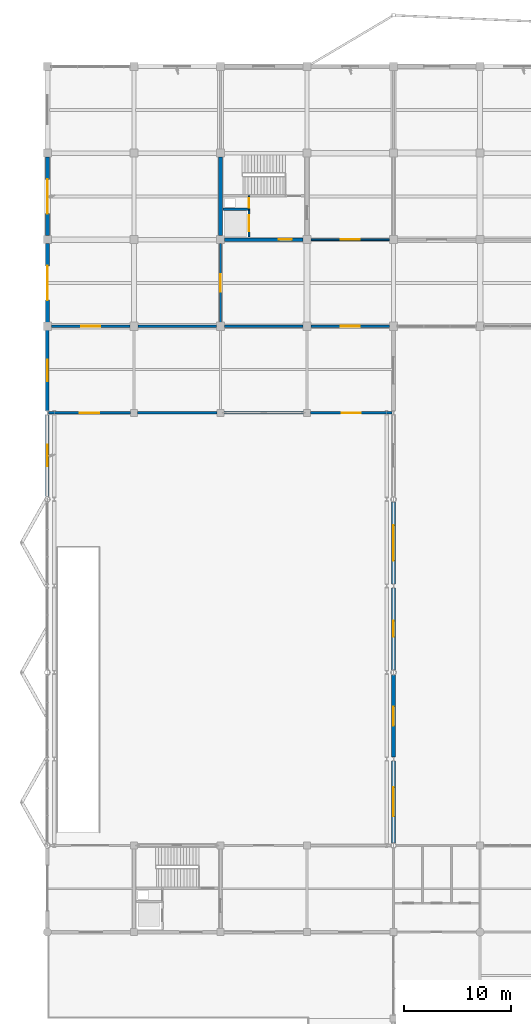
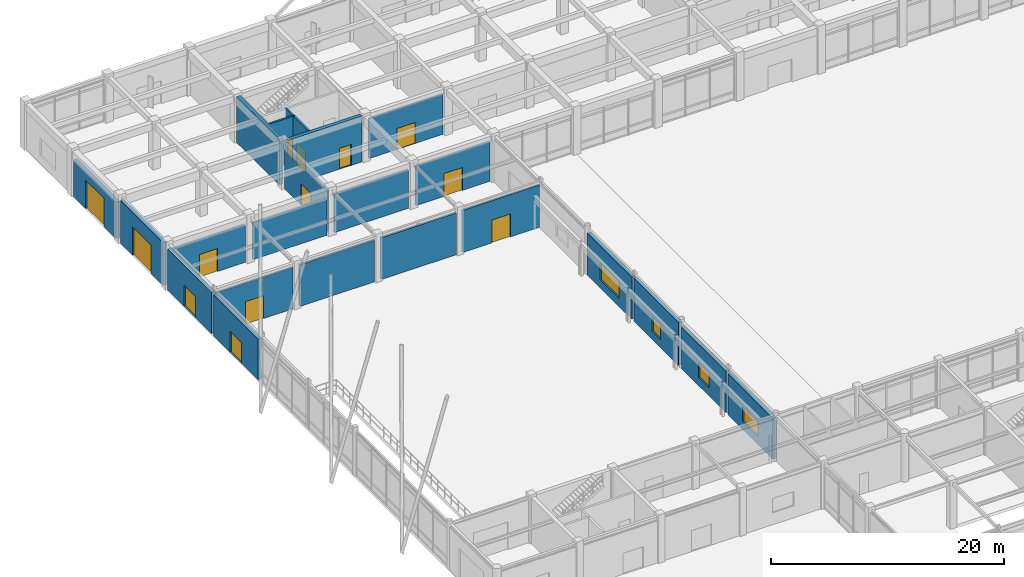
# One storey, part 65 of 99: 23 walls, 13 doors, 4 windows, 17 openings.
"""IFC4 building model written with IfcOpenShell, lengths in metres."""

from ifc_helpers import new_model, si_unit, direction, frame, frame_2d, origin, place, context, subcontext, project, spatial, rectangle, extrude, material, layer, layer_set, type_object, element, fill, save


model = new_model("IFC4")

# Units and contexts
model_context = context("Model", 3, precision=1e-05, world=origin(), true_north=direction((0.0, 1.0)))
body_context = subcontext(model_context, "Body", "Model", "MODEL_VIEW")
ifc_project = project(units=[si_unit("LENGTHUNIT", "METRE"), si_unit("AREAUNIT", "SQUARE_METRE"), si_unit("VOLUMEUNIT", "CUBIC_METRE"), si_unit("PLANEANGLEUNIT", "RADIAN"), si_unit("MASSUNIT", "GRAM", prefix="KILO")], contexts=[model_context])

# Site, building, storey
site_placement = place(None, origin())
site = spatial("IfcSite", under=ifc_project, at=site_placement, CompositionType="ELEMENT")
building_placement = place(site_placement, origin())
building = spatial("IfcBuilding", under=site, at=building_placement, Name="Vaudrelin Polytechnic", CompositionType="ELEMENT")
storey_placement = place(building_placement, origin())
storey = spatial("IfcBuildingStorey", under=building, at=storey_placement, Name="L00", CompositionType="ELEMENT", Elevation=0.0)

# Wall, opening, door
ifc_material_1 = material(Name="Insulated precast concrete sandwich panel 40 MPa", Category="concrete")
ifc_layer_1 = layer(ifc_material_1, 0.340087890625)
ifc_layer_set_1 = layer_set([ifc_layer_1], Name="Insulated precast concrete sandwich panel 40 MPa")
wall_type_1 = type_object("IfcWallType", Name="WAL-EW-IND340", PredefinedType="STANDARD", material=ifc_layer_set_1)
wall_1_placement = place(storey_placement, frame((0.0, 81.251953125, 0.0), z_axis=(0.0, 0.0, 1.0), x_axis=(0.0, 1.0, 0.0)))
wall_1 = element("IfcWall", 1, at=wall_1_placement, inside=storey, type_object=wall_type_1, Name="Exterior wall L00 W_V1_05", PredefinedType="STANDARD", context=body_context, shape_type="SweptSolid", body=[
    extrude(rectangle(XDim=7.673583984375, YDim=0.340087890625, at=frame_2d((3.8369140625, 0.0))), origin(), (0.0, 0.0, 1.0), 4.2890625),
])
opening_1_placement = place(wall_1_placement, frame((2.8369140625, 0.0, 0.0)))
opening_1 = element("IfcOpeningElement", 2, at=opening_1_placement, cuts=wall_1, Name="Opening ED-00-01", PredefinedType="OPENING", context=body_context, shape_type="SweptSolid", body=[
    extrude(rectangle(XDim=2.0, YDim=2.199951171875, at=frame_2d((1.0, 1.10009765625))), frame((0.0, 0.18017578125, 0.0), z_axis=(0.0, -1.0, 0.0), x_axis=(1.0, 0.0, 0.0)), (0.0, 0.0, 1.0), 0.360107421875),
])
ifc_material_2 = material(Name="Thermally broken anodised aluminium AA 6063-T6", Category="aluminium")
door_type_1 = type_object("IfcDoorType", Name="DOR-ED-02", OperationType="DOUBLE_SWING_LEFT", PredefinedType="DOOR", material=ifc_material_2)
door_1_placement = place(opening_1_placement, origin())
door_1 = element("IfcDoor", 3, at=door_1_placement, inside=storey, type_object=door_type_1, Name="Exterior exit door ED-00-01", OperationType="DOUBLE_SWING_LEFT", OverallHeight=2.199951171875, OverallWidth=2.0, PredefinedType="DOOR", context=body_context, shape_type="SweptSolid", body=[
    extrude(rectangle(XDim=2.0, YDim=2.199951171875, at=frame_2d((1.0, 1.10009765625))), frame((0.0, 0.02490234375, 0.0), z_axis=(0.0, -1.0, 0.0), x_axis=(1.0, 0.0, 0.0)), (0.0, 0.0, 1.0), 0.050048828125),
])
fill(opening_1, door_1)

wall_2_placement = place(storey_placement, frame((0.0, 89.2744140625, 0.0), z_axis=(0.0, 0.0, 1.0), x_axis=(0.0, 1.0, 0.0)))
wall_2 = element("IfcWall", 4, at=wall_2_placement, inside=storey, type_object=wall_type_1, Name="Exterior wall L00 W_V1_06", PredefinedType="STANDARD", context=body_context, shape_type="SweptSolid", body=[
    extrude(rectangle(XDim=7.552490234375, YDim=0.340087890625, at=frame_2d((3.7763671875, 0.0))), origin(), (0.0, 0.0, 1.0), 4.3291015625),
])
opening_2_placement = place(wall_2_placement, frame((2.776123046875, 0.0, 0.0)))
opening_2 = element("IfcOpeningElement", 5, at=opening_2_placement, cuts=wall_2, Name="Opening ED-00-15", PredefinedType="OPENING", context=body_context, shape_type="SweptSolid", body=[
    extrude(rectangle(XDim=2.0, YDim=2.199951171875, at=frame_2d((1.0, 1.10009765625))), frame((0.0, 0.18017578125, 0.0), z_axis=(0.0, -1.0, 0.0), x_axis=(1.0, 0.0, 0.0)), (0.0, 0.0, 1.0), 0.360107421875),
])
door_2_placement = place(opening_2_placement, origin())
door_2 = element("IfcDoor", 6, at=door_2_placement, inside=storey, type_object=door_type_1, Name="Exterior exit door ED-00-15", OperationType="DOUBLE_SWING_RIGHT", OverallHeight=2.199951171875, OverallWidth=2.0, PredefinedType="DOOR", context=body_context, shape_type="SweptSolid", body=[
    extrude(rectangle(XDim=2.0, YDim=2.199951171875, at=frame_2d((1.0, 1.10009765625))), frame((0.0, 0.02490234375, 0.0), z_axis=(0.0, -1.0, 0.0), x_axis=(1.0, 0.0, 0.0)), (0.0, 0.0, 1.0), 0.050048828125),
])
fill(opening_2, door_2)

ifc_material_3 = material(Name="Precast concrete 35 MPa with standing-seam zinc rainscreen", Category="concrete")
ifc_layer_2 = layer(ifc_material_3, 0.360107421875)
ifc_layer_set_2 = layer_set([ifc_layer_2], Name="Precast concrete 35 MPa with standing-seam zinc rainscreen")
wall_type_2 = type_object("IfcWallType", Name="WAL-EW-ZINC360", PredefinedType="STANDARD", material=ifc_layer_set_2)
wall_3_placement = place(storey_placement, frame((0.0, 97.572998046875, 0.0), z_axis=(0.0, 0.0, 1.0), x_axis=(0.0, 1.0, 0.0)))
wall_3 = element("IfcWall", 7, at=wall_3_placement, inside=storey, type_object=wall_type_2, Name="Exterior wall L00 W_V5_00", PredefinedType="STANDARD", context=body_context, shape_type="SweptSolid", body=[
    extrude(rectangle(XDim=7.35400390625, YDim=0.360107421875, at=frame_2d((3.677001953125, 0.0))), origin(), (0.0, 0.0, 1.0), 4.51708984375),
])
opening_3_placement = place(wall_3_placement, frame((2.076904296875, 0.0, 0.0)))
opening_3 = element("IfcOpeningElement", 8, at=opening_3_placement, cuts=wall_3, Name="Opening LDK-01", PredefinedType="OPENING", context=body_context, shape_type="SweptSolid", body=[
    extrude(rectangle(XDim=3.199951171875, YDim=3.0, at=frame_2d((1.60009765625, 1.5))), frame((0.0, 0.18994140625, 0.0), z_axis=(0.0, -1.0, 0.0), x_axis=(1.0, 0.0, 0.0)), (0.0, 0.0, 1.0), 0.380126953125),
])
ifc_material_4 = material(Name="Galvanised insulated steel", Category="steel")
door_type_2 = type_object("IfcDoorType", Name="DOR-GD-01", OperationType="DOUBLE_SWING_LEFT", PredefinedType="GATE", material=ifc_material_4)
door_3_placement = place(opening_3_placement, origin())
door_3 = element("IfcDoor", 9, at=door_3_placement, inside=storey, type_object=door_type_2, Name="Exterior exit door LDK-01", OperationType="DOUBLE_SWING_LEFT", OverallHeight=3.0, OverallWidth=3.199951171875, PredefinedType="GATE", context=body_context, shape_type="SweptSolid", body=[
    extrude(rectangle(XDim=3.199951171875, YDim=3.0, at=frame_2d((1.60009765625, 1.5))), frame((0.0, 0.02490234375, 0.0), z_axis=(0.0, -1.0, 0.0), x_axis=(1.0, 0.0, 0.0)), (0.0, 0.0, 1.0), 0.050048828125),
])
fill(opening_3, door_3)

wall_4_placement = place(storey_placement, frame((0.0, 105.673095703125, 0.0), z_axis=(0.0, 0.0, 1.0), x_axis=(0.0, 1.0, 0.0)))
wall_4 = element("IfcWall", 10, at=wall_4_placement, inside=storey, type_object=wall_type_2, Name="Exterior wall L00 W_V5_01", PredefinedType="STANDARD", context=body_context, shape_type="SweptSolid", body=[
    extrude(rectangle(XDim=7.35400390625, YDim=0.360107421875, at=frame_2d((3.677001953125, 0.0))), origin(), (0.0, 0.0, 1.0), 3.8720703125),
])
opening_4_placement = place(wall_4_placement, frame((2.076904296875, 0.0, 0.0)))
opening_4 = element("IfcOpeningElement", 11, at=opening_4_placement, cuts=wall_4, Name="Opening LDK-02", PredefinedType="OPENING", context=body_context, shape_type="SweptSolid", body=[
    extrude(rectangle(XDim=3.199951171875, YDim=3.0, at=frame_2d((1.60009765625, 1.5))), frame((0.0, 0.18994140625, 0.0), z_axis=(0.0, -1.0, 0.0), x_axis=(1.0, 0.0, 0.0)), (0.0, 0.0, 1.0), 0.380126953125),
])
door_4_placement = place(opening_4_placement, origin())
door_4 = element("IfcDoor", 12, at=door_4_placement, inside=storey, type_object=door_type_2, Name="Exterior exit door LDK-02", OperationType="DOUBLE_SWING_LEFT", OverallHeight=3.0, OverallWidth=3.199951171875, PredefinedType="GATE", context=body_context, shape_type="SweptSolid", body=[
    extrude(rectangle(XDim=3.199951171875, YDim=3.0, at=frame_2d((1.60009765625, 1.5))), frame((0.0, 0.02490234375, 0.0), z_axis=(0.0, -1.0, 0.0), x_axis=(1.0, 0.0, 0.0)), (0.0, 0.0, 1.0), 0.050048828125),
])
fill(opening_4, door_4)

# Wall, opening, window
wall_5_placement = place(storey_placement, frame((32.39990234375, 48.85205078125, 0.0), z_axis=(0.0, 0.0, 1.0), x_axis=(0.0, 1.0, 0.0)))
wall_5 = element("IfcWall", 13, at=wall_5_placement, inside=storey, type_object=wall_type_2, Name="Exterior wall L00 CT_W_00", PredefinedType="STANDARD", context=body_context, shape_type="SweptSolid", body=[
    extrude(rectangle(XDim=7.67333984375, YDim=0.360107421875, at=frame_2d((3.836669921875, 0.0))), origin(), (0.0, 0.0, 1.0), 4.2890625),
])
opening_5_placement = place(wall_5_placement, frame((2.48681640625, 0.0, 0.85009765625)))
opening_5 = element("IfcOpeningElement", 14, at=opening_5_placement, cuts=wall_5, Name="Opening W-L00-CT-W-01", PredefinedType="OPENING", context=body_context, shape_type="SweptSolid", body=[
    extrude(rectangle(XDim=2.699951171875, YDim=1.550048828125, at=frame_2d((1.35009765625, 0.77490234375))), frame((0.0, 0.18994140625, 0.0), z_axis=(0.0, -1.0, 0.0), x_axis=(1.0, 0.0, 0.0)), (0.0, 0.0, 1.0), 0.380126953125),
])
ifc_material_5 = material(Name="Thermally broken aluminium frame with triple low-e glazing", Category="aluminium")
window_type_1 = type_object("IfcWindowType", Name="WIN-WN-22", PartitioningType="SINGLE_PANEL", PredefinedType="WINDOW", material=ifc_material_5)
window_1_placement = place(opening_5_placement, origin())
window_1 = element("IfcWindow", 15, at=window_1_placement, inside=storey, type_object=window_type_1, Name="Facade window L00-CT_W_00", OverallHeight=1.550048828125, OverallWidth=2.699951171875, PartitioningType="SINGLE_PANEL", PredefinedType="WINDOW", context=body_context, shape_type="SweptSolid", body=[
    extrude(rectangle(XDim=2.699951171875, YDim=1.550048828125, at=frame_2d((1.35009765625, 0.77490234375))), frame((0.0, 0.030029296875, 0.0), z_axis=(0.0, -1.0, 0.0), x_axis=(1.0, 0.0, 0.0)), (0.0, 0.0, 1.0), 0.06005859375),
])
fill(opening_5, window_1)

wall_6_placement = place(storey_placement, frame((32.39990234375, 56.87451171875, 0.0), z_axis=(0.0, 0.0, 1.0), x_axis=(0.0, 1.0, 0.0)))
wall_6 = element("IfcWall", 16, at=wall_6_placement, inside=storey, type_object=wall_type_2, Name="Exterior wall L00 CT_W_01", PredefinedType="STANDARD", context=body_context, shape_type="SweptSolid", body=[
    extrude(rectangle(XDim=7.673583984375, YDim=0.360107421875, at=frame_2d((3.8369140625, 0.0))), origin(), (0.0, 0.0, 1.0), 4.35888671875),
])
opening_6_placement = place(wall_6_placement, frame((2.936767578125, 0.0, 0.85009765625)))
opening_6 = element("IfcOpeningElement", 17, at=opening_6_placement, cuts=wall_6, Name="Opening W-L00-CT-W-02", PredefinedType="OPENING", context=body_context, shape_type="SweptSolid", body=[
    extrude(rectangle(XDim=1.800048828125, YDim=1.550048828125, at=frame_2d((0.89990234375, 0.77490234375))), frame((0.0, 0.18994140625, 0.0), z_axis=(0.0, -1.0, 0.0), x_axis=(1.0, 0.0, 0.0)), (0.0, 0.0, 1.0), 0.380126953125),
])
window_type_2 = type_object("IfcWindowType", Name="WIN-WN-23", PartitioningType="SINGLE_PANEL", PredefinedType="WINDOW", material=ifc_material_5)
window_2_placement = place(opening_6_placement, origin())
window_2 = element("IfcWindow", 18, at=window_2_placement, inside=storey, type_object=window_type_2, Name="Facade window L00-CT_W_01", OverallHeight=1.550048828125, OverallWidth=1.800048828125, PartitioningType="SINGLE_PANEL", PredefinedType="WINDOW", context=body_context, shape_type="SweptSolid", body=[
    extrude(rectangle(XDim=1.800048828125, YDim=1.550048828125, at=frame_2d((0.89990234375, 0.77490234375))), frame((0.0, 0.030029296875, 0.0), z_axis=(0.0, -1.0, 0.0), x_axis=(1.0, 0.0, 0.0)), (0.0, 0.0, 1.0), 0.06005859375),
])
fill(opening_6, window_2)

wall_7_placement = place(storey_placement, frame((32.39990234375, 65.052001953125, 0.0), z_axis=(0.0, 0.0, 1.0), x_axis=(0.0, 1.0, 0.0)))
wall_7 = element("IfcWall", 19, at=wall_7_placement, inside=storey, type_object=wall_type_2, Name="Exterior wall L00 CT_W_02", PredefinedType="STANDARD", context=body_context, shape_type="SweptSolid", body=[
    extrude(rectangle(XDim=7.673583984375, YDim=0.360107421875, at=frame_2d((3.8369140625, 0.0))), origin(), (0.0, 0.0, 1.0), 4.51708984375),
])
opening_7_placement = place(wall_7_placement, frame((3.086669921875, 0.0, 0.85009765625)))
opening_7 = element("IfcOpeningElement", 20, at=opening_7_placement, cuts=wall_7, Name="Opening W-L00-CT-W-03", PredefinedType="OPENING", context=body_context, shape_type="SweptSolid", body=[
    extrude(rectangle(XDim=1.5, YDim=1.550048828125, at=frame_2d((0.75, 0.77490234375))), frame((0.0, 0.18994140625, 0.0), z_axis=(0.0, -1.0, 0.0), x_axis=(1.0, 0.0, 0.0)), (0.0, 0.0, 1.0), 0.380126953125),
])
window_type_3 = type_object("IfcWindowType", Name="WIN-WN-24", PartitioningType="SINGLE_PANEL", PredefinedType="WINDOW", material=ifc_material_5)
window_3_placement = place(opening_7_placement, origin())
window_3 = element("IfcWindow", 21, at=window_3_placement, inside=storey, type_object=window_type_3, Name="Facade window L00-CT_W_02", OverallHeight=1.550048828125, OverallWidth=1.5, PartitioningType="SINGLE_PANEL", PredefinedType="WINDOW", context=body_context, shape_type="SweptSolid", body=[
    extrude(rectangle(XDim=1.5, YDim=1.550048828125, at=frame_2d((0.75, 0.77490234375))), frame((0.0, 0.030029296875, 0.0), z_axis=(0.0, -1.0, 0.0), x_axis=(1.0, 0.0, 0.0)), (0.0, 0.0, 1.0), 0.06005859375),
])
fill(opening_7, window_3)

wall_8_placement = place(storey_placement, frame((32.39990234375, 73.074462890625, 0.0), z_axis=(0.0, 0.0, 1.0), x_axis=(0.0, 1.0, 0.0)))
wall_8 = element("IfcWall", 22, at=wall_8_placement, inside=storey, type_object=wall_type_2, Name="Exterior wall L00 CT_W_03", PredefinedType="STANDARD", context=body_context, shape_type="SweptSolid", body=[
    extrude(rectangle(XDim=7.673583984375, YDim=0.360107421875, at=frame_2d((3.8369140625, 0.0))), origin(), (0.0, 0.0, 1.0), 4.412109375),
])
opening_8_placement = place(wall_8_placement, frame((2.186767578125, 0.0, 0.85009765625)))
opening_8 = element("IfcOpeningElement", 23, at=opening_8_placement, cuts=wall_8, Name="Opening W-L00-CT-W-04", PredefinedType="OPENING", context=body_context, shape_type="SweptSolid", body=[
    extrude(rectangle(XDim=3.300048828125, YDim=1.800048828125, at=frame_2d((1.64990234375, 0.89990234375))), frame((0.0, 0.18994140625, 0.0), z_axis=(0.0, -1.0, 0.0), x_axis=(1.0, 0.0, 0.0)), (0.0, 0.0, 1.0), 0.380126953125),
])
window_type_4 = type_object("IfcWindowType", Name="WIN-WN-25", PartitioningType="SINGLE_PANEL", PredefinedType="WINDOW", material=ifc_material_5)
window_4_placement = place(opening_8_placement, origin())
window_4 = element("IfcWindow", 24, at=window_4_placement, inside=storey, type_object=window_type_4, Name="Facade window L00-CT_W_03", OverallHeight=1.800048828125, OverallWidth=3.300048828125, PartitioningType="SINGLE_PANEL", PredefinedType="WINDOW", context=body_context, shape_type="SweptSolid", body=[
    extrude(rectangle(XDim=3.300048828125, YDim=1.800048828125, at=frame_2d((1.64990234375, 0.89990234375))), frame((0.0, 0.030029296875, 0.0), z_axis=(0.0, -1.0, 0.0), x_axis=(1.0, 0.0, 0.0)), (0.0, 0.0, 1.0), 0.06005859375),
])
fill(opening_8, window_4)

# Wall, opening, door
ifc_material_6 = material(Name="Concrete masonry unit 20 MPa shaft & corridor fire wall", Category="masonry")
ifc_layer_3 = layer(ifc_material_6, 0.199951171875)
ifc_layer_set_3 = layer_set([ifc_layer_3], Name="Concrete masonry unit 20 MPa shaft & corridor fire wall")
wall_type_3 = type_object("IfcWallType", Name="WAL-PW-FIRE120", PredefinedType="PARTITIONING", material=ifc_layer_set_3)
wall_9_placement = place(storey_placement, frame((0.125, 89.10009765625, 0.0), z_axis=(0.0, 0.0, 1.0), x_axis=(1.0, 0.0, 0.0)))
wall_9 = element("IfcWall", 25, at=wall_9_placement, inside=storey, type_object=wall_type_3, Name="Partition L00-005 N", PredefinedType="PARTITIONING", context=body_context, shape_type="SweptSolid", body=[
    extrude(rectangle(XDim=7.652099609375, YDim=0.199951171875, at=frame_2d((3.826171875, 0.0))), origin(), (0.0, 0.0, 1.0), 4.3291015625),
])
opening_9_placement = place(wall_9_placement, frame((2.926025390625, 0.0, 0.0)))
opening_9 = element("IfcOpeningElement", 26, at=opening_9_placement, cuts=wall_9, Name="Opening D-L00-422", PredefinedType="OPENING", context=body_context, shape_type="SweptSolid", body=[
    extrude(rectangle(XDim=1.800048828125, YDim=2.39990234375, at=frame_2d((0.89990234375, 1.199951171875))), frame((0.0, 0.10986328125, 0.0), z_axis=(0.0, -1.0, 0.0), x_axis=(1.0, 0.0, 0.0)), (0.0, 0.0, 1.0), 0.219970703125),
])
ifc_material_7 = material(Name="Pressed galvanised steel acoustic leaf", Category="steel")
door_type_3 = type_object("IfcDoorType", Name="DOR-ID-WK1", OperationType="NOTDEFINED", PredefinedType="DOOR", material=ifc_material_7)
door_5_placement = place(opening_9_placement, origin())
door_5 = element("IfcDoor", 27, at=door_5_placement, inside=storey, type_object=door_type_3, Name="Engineering Workshop and Crane Hall door L00-005", OperationType="DOUBLE_SWING_LEFT", OverallHeight=2.39990234375, OverallWidth=1.800048828125, PredefinedType="DOOR", context=body_context, shape_type="SweptSolid", body=[
    extrude(rectangle(XDim=1.800048828125, YDim=2.39990234375, at=frame_2d((0.89990234375, 1.199951171875))), frame((0.0, 0.02490234375, 0.0), z_axis=(0.0, -1.0, 0.0), x_axis=(1.0, 0.0, 0.0)), (0.0, 0.0, 1.0), 0.050048828125),
])
fill(opening_9, door_5)

# Walls
wall_10_placement = place(storey_placement, frame((8.423095703125, 89.10009765625, 0.0), z_axis=(0.0, 0.0, 1.0), x_axis=(1.0, 0.0, 0.0)))
element("IfcWall", 28, at=wall_10_placement, inside=storey, type_object=wall_type_3, Name="Partition L00-005 N", PredefinedType="PARTITIONING", context=body_context, shape_type="SweptSolid", body=[
    extrude(rectangle(XDim=7.453857421875, YDim=0.199951171875, at=frame_2d((3.72705078125, 0.0))), origin(), (0.0, 0.0, 1.0), 4.376953125),
])
wall_11_placement = place(storey_placement, frame((16.52294921875, 89.10009765625, 0.0), z_axis=(0.0, 0.0, 1.0), x_axis=(1.0, 0.0, 0.0)))
element("IfcWall", 29, at=wall_11_placement, inside=storey, type_object=wall_type_3, Name="Partition L00-005 N", PredefinedType="PARTITIONING", context=body_context, shape_type="SweptSolid", body=[
    extrude(rectangle(XDim=7.4541015625, YDim=0.199951171875, at=frame_2d((3.72705078125, 0.0))), origin(), (0.0, 0.0, 1.0), 4.382080078125),
])

# Wall, opening, door
wall_12_placement = place(storey_placement, frame((24.623046875, 89.10009765625, 0.0), z_axis=(0.0, 0.0, 1.0), x_axis=(1.0, 0.0, 0.0)))
wall_12 = element("IfcWall", 30, at=wall_12_placement, inside=storey, type_object=wall_type_3, Name="Partition L00-005 N", PredefinedType="PARTITIONING", context=body_context, shape_type="SweptSolid", body=[
    extrude(rectangle(XDim=7.65185546875, YDim=0.199951171875, at=frame_2d((3.825927734375, 0.0))), origin(), (0.0, 0.0, 1.0), 4.43408203125),
])
opening_10_placement = place(wall_12_placement, frame((2.926025390625, 0.0, 0.0)))
opening_10 = element("IfcOpeningElement", 31, at=opening_10_placement, cuts=wall_12, Name="Opening D-L00-590", PredefinedType="OPENING", context=body_context, shape_type="SweptSolid", body=[
    extrude(rectangle(XDim=1.800048828125, YDim=2.39990234375, at=frame_2d((0.89990234375, 1.199951171875))), frame((0.0, 0.10986328125, 0.0), z_axis=(0.0, -1.0, 0.0), x_axis=(1.0, 0.0, 0.0)), (0.0, 0.0, 1.0), 0.219970703125),
])
door_6_placement = place(opening_10_placement, origin())
door_6 = element("IfcDoor", 32, at=door_6_placement, inside=storey, type_object=door_type_3, Name="Engineering workshop loading bay door L00", OperationType="DOUBLE_SWING_LEFT", OverallHeight=2.39990234375, OverallWidth=1.800048828125, PredefinedType="DOOR", context=body_context, shape_type="SweptSolid", body=[
    extrude(rectangle(XDim=1.800048828125, YDim=2.39990234375, at=frame_2d((0.89990234375, 1.199951171875))), frame((0.0, 0.02490234375, 0.0), z_axis=(0.0, -1.0, 0.0), x_axis=(1.0, 0.0, 0.0)), (0.0, 0.0, 1.0), 0.050048828125),
])
fill(opening_10, door_6)

wall_13_placement = place(storey_placement, frame((0.373046875, 97.199951171875, 0.0), z_axis=(0.0, 0.0, 1.0), x_axis=(1.0, 0.0, 0.0)))
wall_13 = element("IfcWall", 33, at=wall_13_placement, inside=storey, type_object=wall_type_3, Name="Partition L00-006 N", PredefinedType="PARTITIONING", context=body_context, shape_type="SweptSolid", body=[
    extrude(rectangle(XDim=7.35400390625, YDim=0.199951171875, at=frame_2d((3.677001953125, 0.0))), origin(), (0.0, 0.0, 1.0), 3.94189453125),
])
opening_11_placement = place(wall_13_placement, frame((2.777099609375, 0.0, 0.0)))
opening_11 = element("IfcOpeningElement", 34, at=opening_11_placement, cuts=wall_13, Name="Opening D-L00-423", PredefinedType="OPENING", context=body_context, shape_type="SweptSolid", body=[
    extrude(rectangle(XDim=1.800048828125, YDim=2.39990234375, at=frame_2d((0.89990234375, 1.199951171875))), frame((0.0, 0.10986328125, 0.0), z_axis=(0.0, -1.0, 0.0), x_axis=(1.0, 0.0, 0.0)), (0.0, 0.0, 1.0), 0.219970703125),
])
door_7_placement = place(opening_11_placement, origin())
door_7 = element("IfcDoor", 35, at=door_7_placement, inside=storey, type_object=door_type_3, Name="Heavy Fabrication Loading Bay door L00-006", OperationType="DOUBLE_SWING_LEFT", OverallHeight=2.39990234375, OverallWidth=1.800048828125, PredefinedType="DOOR", context=body_context, shape_type="SweptSolid", body=[
    extrude(rectangle(XDim=1.800048828125, YDim=2.39990234375, at=frame_2d((0.89990234375, 1.199951171875))), frame((0.0, 0.02490234375, 0.0), z_axis=(0.0, -1.0, 0.0), x_axis=(1.0, 0.0, 0.0)), (0.0, 0.0, 1.0), 0.050048828125),
])
fill(opening_11, door_7)

# Walls
wall_14_placement = place(storey_placement, frame((8.472900390625, 97.199951171875, 0.0), z_axis=(0.0, 0.0, 1.0), x_axis=(1.0, 0.0, 0.0)))
element("IfcWall", 36, at=wall_14_placement, inside=storey, type_object=wall_type_3, Name="Partition L00-006 N", PredefinedType="PARTITIONING", context=body_context, shape_type="SweptSolid", body=[
    extrude(rectangle(XDim=7.35400390625, YDim=0.199951171875, at=frame_2d((3.677001953125, 0.0))), origin(), (0.0, 0.0, 1.0), 3.842041015625),
])
wall_15_placement = place(storey_placement, frame((16.572998046875, 97.199951171875, 0.0), z_axis=(0.0, 0.0, 1.0), x_axis=(1.0, 0.0, 0.0)))
element("IfcWall", 37, at=wall_15_placement, inside=storey, type_object=wall_type_3, Name="Partition L00-006 N", PredefinedType="PARTITIONING", context=body_context, shape_type="SweptSolid", body=[
    extrude(rectangle(XDim=7.35400390625, YDim=0.199951171875, at=frame_2d((3.677001953125, 0.0))), origin(), (0.0, 0.0, 1.0), 4.0419921875),
])

# Wall, opening, door
wall_16_placement = place(storey_placement, frame((24.673095703125, 97.199951171875, 0.0), z_axis=(0.0, 0.0, 1.0), x_axis=(1.0, 0.0, 0.0)))
wall_16 = element("IfcWall", 38, at=wall_16_placement, inside=storey, type_object=wall_type_3, Name="Partition L00-006 N", PredefinedType="PARTITIONING", context=body_context, shape_type="SweptSolid", body=[
    extrude(rectangle(XDim=7.35400390625, YDim=0.199951171875, at=frame_2d((3.677001953125, 0.0))), origin(), (0.0, 0.0, 1.0), 4.14208984375),
])
opening_12_placement = place(wall_16_placement, frame((2.777099609375, 0.0, 0.0)))
opening_12 = element("IfcOpeningElement", 39, at=opening_12_placement, cuts=wall_16, Name="Opening D-L00-591", PredefinedType="OPENING", context=body_context, shape_type="SweptSolid", body=[
    extrude(rectangle(XDim=1.800048828125, YDim=2.39990234375, at=frame_2d((0.89990234375, 1.199951171875))), frame((0.0, 0.10986328125, 0.0), z_axis=(0.0, -1.0, 0.0), x_axis=(1.0, 0.0, 0.0)), (0.0, 0.0, 1.0), 0.219970703125),
])
door_8_placement = place(opening_12_placement, origin())
door_8 = element("IfcDoor", 40, at=door_8_placement, inside=storey, type_object=door_type_3, Name="Loading bay studio concourse door L00", OperationType="DOUBLE_SWING_LEFT", OverallHeight=2.39990234375, OverallWidth=1.800048828125, PredefinedType="DOOR", context=body_context, shape_type="SweptSolid", body=[
    extrude(rectangle(XDim=1.800048828125, YDim=2.39990234375, at=frame_2d((0.89990234375, 1.199951171875))), frame((0.0, 0.02490234375, 0.0), z_axis=(0.0, -1.0, 0.0), x_axis=(1.0, 0.0, 0.0)), (0.0, 0.0, 1.0), 0.050048828125),
])
fill(opening_12, door_8)

ifc_material_8 = material(Name="Fire-rated steel-stud gypsum compartment wall", Category="steel")
ifc_layer_4 = layer(ifc_material_8, 0.14990234375)
ifc_layer_set_4 = layer_set([ifc_layer_4], Name="Fire-rated steel-stud gypsum compartment wall")
wall_type_4 = type_object("IfcWallType", Name="WAL-PW-FIRE60", PredefinedType="PARTITIONING", material=ifc_layer_set_4)
wall_17_placement = place(storey_placement, frame((18.8798828125, 108.14990234375, 0.0), z_axis=(0.0, 0.0, 1.0), x_axis=(0.0, 1.0, 0.0)))
wall_17 = element("IfcWall", 41, at=wall_17_placement, inside=storey, type_object=wall_type_4, Name="Core C1 riser enclosure wall L00", PredefinedType="PARTITIONING", context=body_context, shape_type="SweptSolid", body=[
    extrude(rectangle(XDim=1.260009765625, YDim=0.14990234375, at=frame_2d((0.6298828125, 0.0))), origin(), (0.0, 0.0, 1.0), 4.822021484375),
])
opening_13_placement = place(wall_17_placement, frame((0.139892578125, 0.0, 0.0)))
opening_13 = element("IfcOpeningElement", 42, at=opening_13_placement, cuts=wall_17, Name="Opening D-L00-007", PredefinedType="OPENING", context=body_context, shape_type="SweptSolid", body=[
    extrude(rectangle(XDim=0.89990234375, YDim=2.14990234375, at=frame_2d((0.449951171875, 1.074951171875))), frame((0.0, 0.0849609375, 0.0), z_axis=(0.0, -1.0, 0.0), x_axis=(1.0, 0.0, 0.0)), (0.0, 0.0, 1.0), 0.169921875),
])
door_type_4 = type_object("IfcDoorType", Name="DOR-ID-RSR1", OperationType="NOTDEFINED", PredefinedType="DOOR", material=ifc_material_7)
door_9_placement = place(opening_13_placement, origin())
door_9 = element("IfcDoor", 43, at=door_9_placement, inside=storey, type_object=door_type_4, Name="Core C1 riser access door L00", OperationType="SINGLE_SWING_RIGHT", OverallHeight=2.14990234375, OverallWidth=0.89990234375, PredefinedType="DOOR", context=body_context, shape_type="SweptSolid", body=[
    extrude(rectangle(XDim=0.89990234375, YDim=2.14990234375, at=frame_2d((0.449951171875, 1.074951171875))), frame((0.0, 0.02490234375, 0.0), z_axis=(0.0, -1.0, 0.0), x_axis=(1.0, 0.0, 0.0)), (0.0, 0.0, 1.0), 0.050048828125),
])
fill(opening_13, door_9)

wall_18_placement = place(storey_placement, frame((24.673095703125, 105.300048828125, 0.0), z_axis=(0.0, 0.0, 1.0), x_axis=(1.0, 0.0, 0.0)))
wall_18 = element("IfcWall", 44, at=wall_18_placement, inside=storey, type_object=wall_type_4, Name="Interior partition L00 3-13 to 4-13", PredefinedType="PARTITIONING", context=body_context, shape_type="SweptSolid", body=[
    extrude(rectangle(XDim=7.35400390625, YDim=0.14990234375, at=frame_2d((3.677001953125, 0.0))), origin(), (0.0, 0.0, 1.0), 4.221923828125),
])
opening_14_placement = place(wall_18_placement, frame((2.777099609375, 0.0, 0.0)))
opening_14 = element("IfcOpeningElement", 45, at=opening_14_placement, cuts=wall_18, Name="Opening D-L00-587", PredefinedType="OPENING", context=body_context, shape_type="SweptSolid", body=[
    extrude(rectangle(XDim=1.800048828125, YDim=2.199951171875, at=frame_2d((0.89990234375, 1.10009765625))), frame((0.0, 0.0849609375, 0.0), z_axis=(0.0, -1.0, 0.0), x_axis=(1.0, 0.0, 0.0)), (0.0, 0.0, 1.0), 0.169921875),
])
door_type_5 = type_object("IfcDoorType", Name="DOR-ID-DBL1", OperationType="NOTDEFINED", PredefinedType="DOOR", material=ifc_material_7)
door_10_placement = place(opening_14_placement, origin())
door_10 = element("IfcDoor", 46, at=door_10_placement, inside=storey, type_object=door_type_5, Name="North-west exit vestibule concourse door L00", OperationType="DOUBLE_SWING_LEFT", OverallHeight=2.199951171875, OverallWidth=1.800048828125, PredefinedType="DOOR", context=body_context, shape_type="SweptSolid", body=[
    extrude(rectangle(XDim=1.800048828125, YDim=2.199951171875, at=frame_2d((0.89990234375, 1.10009765625))), frame((0.0, 0.02490234375, 0.0), z_axis=(0.0, -1.0, 0.0), x_axis=(1.0, 0.0, 0.0)), (0.0, 0.0, 1.0), 0.050048828125),
])
fill(opening_14, door_10)

ifc_material_9 = material(Name="Pin-up plywood & acoustic gypsum studio partition", Category="wood")
ifc_layer_5 = layer(ifc_material_9, 0.14990234375)
ifc_layer_set_5 = layer_set([ifc_layer_5], Name="Pin-up plywood & acoustic gypsum studio partition")
wall_type_5 = type_object("IfcWallType", Name="WAL-PW-STU150", PredefinedType="PARTITIONING", material=ifc_layer_set_5)
wall_19_placement = place(storey_placement, frame((16.199951171875, 97.572998046875, 0.0), z_axis=(0.0, 0.0, 1.0), x_axis=(0.0, 1.0, 0.0)))
wall_19 = element("IfcWall", 47, at=wall_19_placement, inside=storey, type_object=wall_type_5, Name="Partition L00-014 E", PredefinedType="PARTITIONING", context=body_context, shape_type="SweptSolid", body=[
    extrude(rectangle(XDim=7.35400390625, YDim=0.14990234375, at=frame_2d((3.677001953125, 0.0))), origin(), (0.0, 0.0, 1.0), 4.221923828125),
])
opening_15_placement = place(wall_19_placement, frame((2.85693359375, 0.0, 0.0)))
opening_15 = element("IfcOpeningElement", 48, at=opening_15_placement, cuts=wall_19, Name="Opening D-L00-430", PredefinedType="OPENING", context=body_context, shape_type="SweptSolid", body=[
    extrude(rectangle(XDim=1.639892578125, YDim=2.25, at=frame_2d((0.81982421875, 1.125))), frame((0.0, 0.0849609375, 0.0), z_axis=(0.0, -1.0, 0.0), x_axis=(1.0, 0.0, 0.0)), (0.0, 0.0, 1.0), 0.169921875),
])
ifc_material_10 = material(Name="Solid-core birch veneer acoustic leaf", Category="wood")
door_type_6 = type_object("IfcDoorType", Name="DOR-ID-STU2", OperationType="NOTDEFINED", PredefinedType="DOOR", material=ifc_material_10)
door_11_placement = place(opening_15_placement, origin())
door_11 = element("IfcDoor", 49, at=door_11_placement, inside=storey, type_object=door_type_6, Name="Additive Manufacturing Design Studio door L00-014", OperationType="DOUBLE_SWING_LEFT", OverallHeight=2.25, OverallWidth=1.639892578125, PredefinedType="DOOR", context=body_context, shape_type="SweptSolid", body=[
    extrude(rectangle(XDim=1.639892578125, YDim=2.25, at=frame_2d((0.81982421875, 1.125))), frame((0.0, 0.02490234375, 0.0), z_axis=(0.0, -1.0, 0.0), x_axis=(1.0, 0.0, 0.0)), (0.0, 0.0, 1.0), 0.050048828125),
])
fill(opening_15, door_11)

ifc_material_11 = material(Name="Concrete 40 MPa", Category="concrete")
ifc_layer_6 = layer(ifc_material_11, 0.199951171875)
ifc_layer_set_6 = layer_set([ifc_layer_6], Name="Concrete 40 MPa")
wall_type_6 = type_object("IfcWallType", Name="WAL-SW-CORE200", PredefinedType="SHEAR", material=ifc_layer_set_6)
wall_20_placement = place(storey_placement, frame((18.8798828125, 105.550048828125, 0.0), z_axis=(0.0, 0.0, 1.0), x_axis=(0.0, 1.0, 0.0)))
wall_20 = element("IfcWall", 50, at=wall_20_placement, inside=storey, type_object=wall_type_6, Name="Lift LF-01 shaft front wall L00", PredefinedType="SHEAR", context=body_context, shape_type="SweptSolid", body=[
    extrude(rectangle(XDim=2.599853515625, YDim=0.199951171875, at=frame_2d((1.2998046875, 0.0))), origin(), (0.0, 0.0, 1.0), 4.822021484375),
])
opening_16_placement = place(wall_20_placement, frame((0.550048828125, 0.0, 0.0)))
opening_16 = element("IfcOpeningElement", 51, at=opening_16_placement, cuts=wall_20, Name="Opening LD-LF-01-L00", PredefinedType="OPENING", context=body_context, shape_type="SweptSolid", body=[
    extrude(rectangle(XDim=1.5, YDim=2.300048828125, at=frame_2d((0.75, 1.14990234375))), frame((0.0, 0.10986328125, 0.0), z_axis=(0.0, -1.0, 0.0), x_axis=(1.0, 0.0, 0.0)), (0.0, 0.0, 1.0), 0.219970703125),
])
ifc_material_12 = material(Name="Brushed stainless steel AISI 304", Category="steel")
door_type_7 = type_object("IfcDoorType", Name="DOR-LD-FRT", OperationType="SLIDING_TO_LEFT", PredefinedType="DOOR", material=ifc_material_12)
door_12_placement = place(opening_16_placement, origin())
door_12 = element("IfcDoor", 52, at=door_12_placement, inside=storey, type_object=door_type_7, Name="Lift LF-01 landing door L00", OperationType="SLIDING_TO_LEFT", OverallHeight=2.300048828125, OverallWidth=1.5, PredefinedType="DOOR", context=body_context, shape_type="SweptSolid", body=[
    extrude(rectangle(XDim=1.5, YDim=2.300048828125, at=frame_2d((0.75, 1.14990234375))), frame((0.0, 0.02490234375, 0.0), z_axis=(0.0, -1.0, 0.0), x_axis=(1.0, 0.0, 0.0)), (0.0, 0.0, 1.0), 0.050048828125),
])
fill(opening_16, door_12)

# Walls
wall_21_placement = place(storey_placement, frame((16.419921875, 108.14990234375, 0.0), z_axis=(0.0, 0.0, 1.0), x_axis=(1.0, 0.0, 0.0)))
element("IfcWall", 53, at=wall_21_placement, inside=storey, type_object=wall_type_6, Name="Lift LF-01 shaft north wall L00", PredefinedType="SHEAR", context=body_context, shape_type="SweptSolid", body=[
    extrude(rectangle(XDim=2.56005859375, YDim=0.199951171875, at=frame_2d((1.280029296875, 0.0))), origin(), (0.0, 0.0, 1.0), 4.822021484375),
])
ifc_material_13 = material(Name="Concrete 50 MPa", Category="concrete")
ifc_layer_7 = layer(ifc_material_13, 0.35009765625)
ifc_layer_set_7 = layer_set([ifc_layer_7], Name="Concrete 50 MPa")
wall_type_7 = type_object("IfcWallType", Name="WAL-SW-CORE350", PredefinedType="SHEAR", material=ifc_layer_set_7)
wall_22_placement = place(storey_placement, frame((16.199951171875, 105.673095703125, 0.0), z_axis=(0.0, 0.0, 1.0), x_axis=(0.0, 1.0, 0.0)))
element("IfcWall", 54, at=wall_22_placement, inside=storey, type_object=wall_type_7, Name="Core C1 W shear wall L00", PredefinedType="SHEAR", context=body_context, shape_type="SweptSolid", body=[
    extrude(rectangle(XDim=7.35400390625, YDim=0.35009765625, at=frame_2d((3.677001953125, 0.0))), origin(), (0.0, 0.0, 1.0), 4.822021484375),
])

# Wall, opening, door
wall_23_placement = place(storey_placement, frame((16.572998046875, 105.300048828125, 0.0), z_axis=(0.0, 0.0, 1.0), x_axis=(1.0, 0.0, 0.0)))
wall_23 = element("IfcWall", 55, at=wall_23_placement, inside=storey, type_object=wall_type_7, Name="Core C1 S shear wall L00", PredefinedType="SHEAR", context=body_context, shape_type="SweptSolid", body=[
    extrude(rectangle(XDim=7.35400390625, YDim=0.35009765625, at=frame_2d((3.677001953125, 0.0))), origin(), (0.0, 0.0, 1.0), 4.822021484375),
])
opening_17_placement = place(wall_23_placement, frame((5.10400390625, 0.0, 0.0)))
opening_17 = element("IfcOpeningElement", 56, at=opening_17_placement, cuts=wall_23, Name="Opening D-L00-005", PredefinedType="OPENING", context=body_context, shape_type="SweptSolid", body=[
    extrude(rectangle(XDim=1.199951171875, YDim=2.199951171875, at=frame_2d((0.60009765625, 1.10009765625))), frame((0.0, 0.18505859375, 0.0), z_axis=(0.0, -1.0, 0.0), x_axis=(1.0, 0.0, 0.0)), (0.0, 0.0, 1.0), 0.3701171875),
])
door_type_8 = type_object("IfcDoorType", Name="DOR-ID-LB1", OperationType="NOTDEFINED", PredefinedType="DOOR", material=ifc_material_7)
door_13_placement = place(opening_17_placement, origin())
door_13 = element("IfcDoor", 57, at=door_13_placement, inside=storey, type_object=door_type_8, Name="Core C1 lobby fire door L00", OperationType="SINGLE_SWING_LEFT", OverallHeight=2.199951171875, OverallWidth=1.199951171875, PredefinedType="DOOR", context=body_context, shape_type="SweptSolid", body=[
    extrude(rectangle(XDim=1.199951171875, YDim=2.199951171875, at=frame_2d((0.60009765625, 1.10009765625))), frame((0.0, 0.02490234375, 0.0), z_axis=(0.0, -1.0, 0.0), x_axis=(1.0, 0.0, 0.0)), (0.0, 0.0, 1.0), 0.050048828125),
])
fill(opening_17, door_13)

save(model, "model.ifc")
